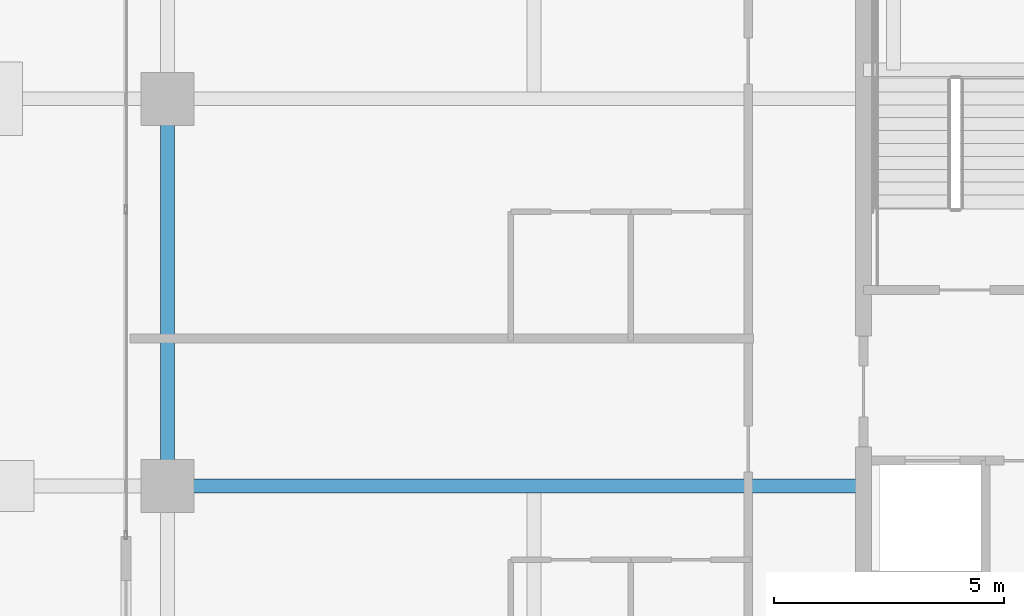
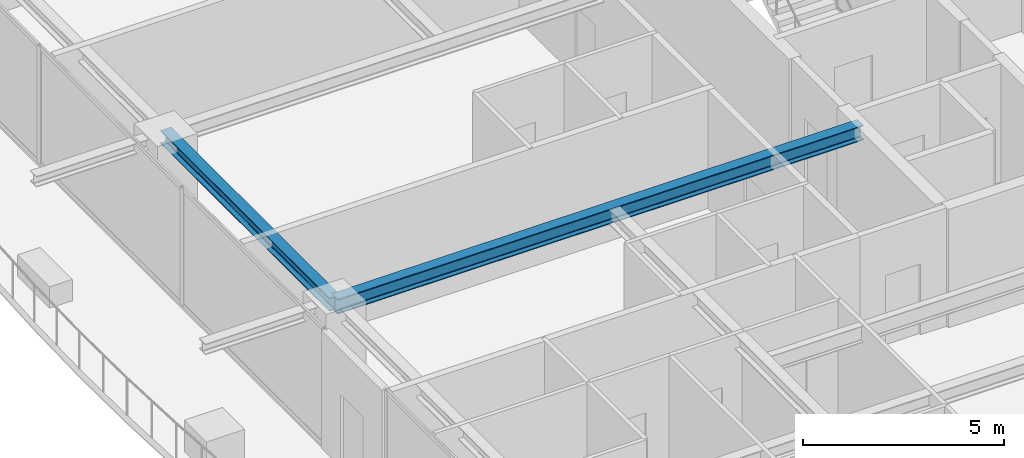
# One storey, part 9 of 39: 2 beams.
"""IFC4 building model written with IfcOpenShell, lengths in metres."""

from ifc_helpers import new_model, si_unit, direction, frame, origin, origin_2d, place, context, subcontext, project, spatial, i_section, extrude, source, transform, mapped, material, material_profile, profile_set, type_object, element, save


model = new_model("IFC4")

# Units and contexts
model_context = context("Model", 3, precision=1e-05, world=origin(), true_north=direction((0.0, 1.0)))
body_context = subcontext(model_context, "Body", "Model", "MODEL_VIEW")
ifc_project = project(units=[si_unit("LENGTHUNIT", "METRE"), si_unit("AREAUNIT", "SQUARE_METRE"), si_unit("VOLUMEUNIT", "CUBIC_METRE"), si_unit("PLANEANGLEUNIT", "RADIAN"), si_unit("MASSUNIT", "GRAM", prefix="KILO")], contexts=[model_context])

# Site, building, storey
site_placement = place(None, origin())
site = spatial("IfcSite", under=ifc_project, at=site_placement, CompositionType="ELEMENT")
building_placement = place(site_placement, origin())
building = spatial("IfcBuilding", under=site, at=building_placement, Name="Serunith Strait Residences", CompositionType="ELEMENT")
storey_placement = place(building_placement, frame((0.0, 0.0, 222.0)))
storey = spatial("IfcBuildingStorey", under=building, at=storey_placement, Name="L55", CompositionType="ELEMENT", Elevation=222.0)

# Beams
ifc_material = material(Name="Steel S355J2", Category="steel")
ifc_material_profile_1 = material_profile(ifc_material, i_section(OverallWidth=0.300048828125, OverallDepth=0.449951171875, WebThickness=0.013916015625, FlangeThickness=0.02587890625, FilletRadius=0.027099609375, at=origin_2d()), Name="HEB 450")
ifc_profile_set_1 = profile_set([ifc_material_profile_1], Name="Steel S355J2")
beam_type_1 = type_object("IfcBeamType", Name="BM-HEB450", PredefinedType="BEAM", material=ifc_profile_set_1)
shared_shape_1 = source(origin(), body_context, "Body", "SweptSolid", [
    extrude(i_section(OverallWidth=0.300048828125, OverallDepth=0.449951171875, WebThickness=0.013916015625, FlangeThickness=0.02587890625, FilletRadius=0.027099609375, at=origin_2d()), origin(), (0.0, 0.0, 1.0), 15.099853515625),
])
beam_1_placement = place(storey_placement, frame((23.39990234375, 21.0, 3.362060546875), z_axis=(-1.0, 0.0, 0.0), x_axis=(0.0, -1.0, 0.0)))
element("IfcBeam", 1, at=beam_1_placement, inside=storey, type_object=beam_type_1, Name="L55 Primary Floor Girder TC-W2", PredefinedType="BEAM", context=body_context, shape_type="MappedRepresentation", body=[
    mapped(shared_shape_1, transform((0.0, 0.0, 0.0), scale=1.0)),
])
ifc_material_profile_2 = material_profile(ifc_material, i_section(OverallWidth=0.300048828125, OverallDepth=0.39990234375, WebThickness=0.013427734375, FlangeThickness=0.02392578125, FilletRadius=0.027099609375, at=origin_2d()), Name="HEB 400")
ifc_profile_set_2 = profile_set([ifc_material_profile_2], Name="Steel S355J2")
beam_type_2 = type_object("IfcBeamType", Name="BM-HEB400", PredefinedType="BEAM", material=ifc_profile_set_2)
shared_shape_2 = source(origin(), body_context, "Body", "SweptSolid", [
    extrude(i_section(OverallWidth=0.300048828125, OverallDepth=0.39990234375, WebThickness=0.013427734375, FlangeThickness=0.02392578125, FilletRadius=0.027099609375, at=origin_2d()), origin(), (0.0, 0.0, 1.0), 8.39990234375),
])
beam_2_placement = place(storey_placement, frame((8.300048828125, 29.39990234375, 3.386962890625), z_axis=(0.0, -1.0, 0.0), x_axis=(1.0, 0.0, 0.0)))
element("IfcBeam", 2, at=beam_2_placement, inside=storey, type_object=beam_type_2, Name="L55 Perimeter Ring Beam 14", PredefinedType="BEAM", context=body_context, shape_type="MappedRepresentation", body=[
    mapped(shared_shape_2, transform((0.0, 0.0, 0.0), scale=1.0)),
])

save(model, "model.ifc")
